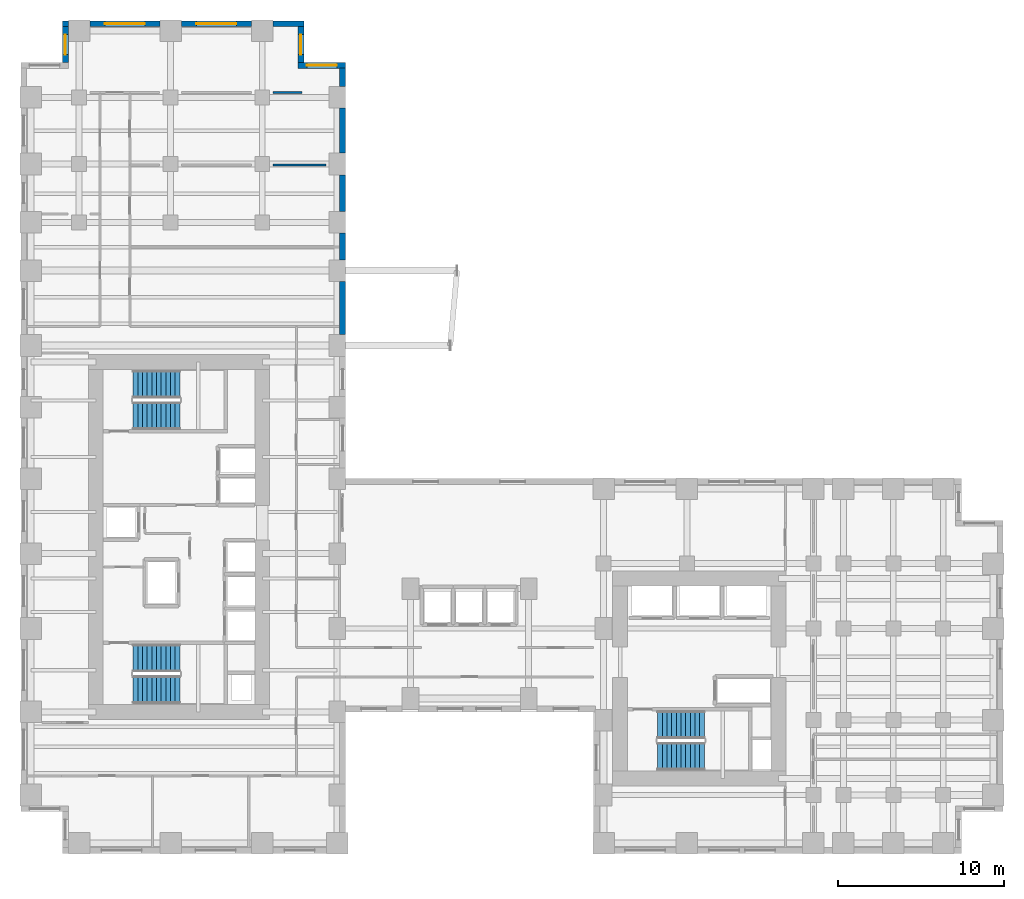
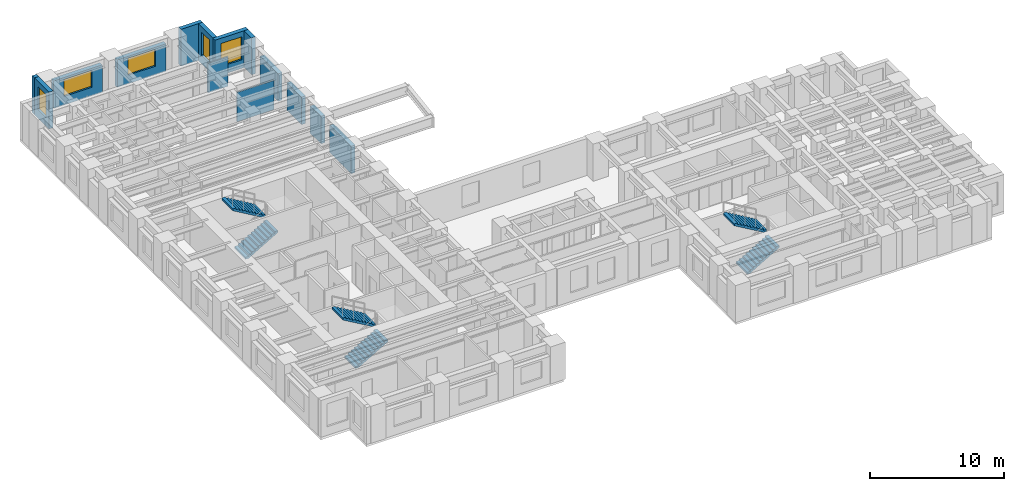
# One storey, part 11 of 13: 14 walls, 6 stair flights, 5 windows, 5 openings, 3 elements without a shape of their own.
"""IFC4 building model written with IfcOpenShell, lengths in metres."""

import ifcopenshell
import ifcopenshell.guid

model = None  # the IFC model being written
_history = None  # IfcOwnerHistory: only IFC2X3 demands one
_inside = {}  # id of a spatial element -> (the spatial element, [elements in it])
_under = {}  # id of a project, library or spatial element -> (it, [spatial elements below it])
_declared = {}  # id of a project -> (the project, [libraries it declares])
_typed = {}  # id of a type object -> (the type object, [elements of that type])
_made_of = {}  # id of a material, layer set ... -> (it, [elements and type objects made of it])


def new_model(schema):
    """Start an empty IFC model of exactly this schema.

    Asked for "IFC4X3", IfcOpenShell would pick the latest addendum, in which some entities
    have other attributes; the version numbers below select the first issue.
    IFC2X3 requires an IfcOwnerHistory on every rooted entity: one is made here for all.
    """
    global model, _history
    if schema == "IFC4X3":
        model = ifcopenshell.file(schema_version=(4, 3, 0, 0))
    else:
        model = ifcopenshell.file(schema=schema)
    _inside.clear()
    _under.clear()
    _declared.clear()
    _typed.clear()
    _made_of.clear()
    _history = None
    if model.schema == "IFC2X3":
        org = make("IfcOrganization", Name="unknown")
        user = make(
            "IfcPersonAndOrganization",
            ThePerson=make("IfcPerson", FamilyName="unknown"),
            TheOrganization=org,
        )
        app = make(
            "IfcApplication",
            ApplicationDeveloper=org,
            Version="unknown",
            ApplicationFullName="unknown",
            ApplicationIdentifier="unknown",
        )
        _history = make(
            "IfcOwnerHistory",
            OwningUser=user,
            OwningApplication=app,
            ChangeAction="ADDED",
            CreationDate=0,
        )
    return model


def make(cls, **values):
    """One entity of the class cls with the attributes given. An attribute that is None is left unset."""
    return model.create_entity(
        cls, **{name: value for name, value in values.items() if value is not None}
    )


def rooted(cls, **values):
    """An entity with a GlobalId (a new one), such as an element, a storey or a relation."""
    return make(cls, GlobalId=ifcopenshell.guid.new(), OwnerHistory=_history, **values)


def si_unit(unit_type, name, prefix=None):
    """IfcSIUnit, for example si_unit("LENGTHUNIT", "METRE", prefix="MILLI")."""
    return make("IfcSIUnit", UnitType=unit_type, Prefix=prefix, Name=name)


def assignment(units):
    """IfcUnitAssignment: the units of a project."""
    return None if units is None else make("IfcUnitAssignment", Units=units)


def point(xyz):
    """IfcCartesianPoint."""
    return None if xyz is None else make("IfcCartesianPoint", Coordinates=xyz)


def direction(xyz):
    """IfcDirection."""
    return None if xyz is None else make("IfcDirection", DirectionRatios=xyz)


def frame(location, z_axis=None, x_axis=None):
    """IfcAxis2Placement3D, a coordinate frame: its origin and axes. An axis left out is left unset."""
    return make(
        "IfcAxis2Placement3D",
        Location=point(location),
        Axis=direction(z_axis),
        RefDirection=direction(x_axis),
    )


def frame_2d(location, x_axis=None):
    """IfcAxis2Placement2D, a coordinate frame in the plane: its origin and x axis."""
    return make(
        "IfcAxis2Placement2D", Location=point(location), RefDirection=direction(x_axis)
    )


def origin():
    """The frame at (0, 0, 0) with its axes left unset."""
    return frame((0.0, 0.0, 0.0))


def place(relative_to, where):
    """IfcLocalPlacement: puts the frame where relative to a parent placement (None: the world)."""
    return make(
        "IfcLocalPlacement", PlacementRelTo=relative_to, RelativePlacement=where
    )


def context(
    kind, dimensions, precision=None, world=None, true_north=None, identifier=None
):
    """IfcGeometricRepresentationContext, for example the 3D "Model" context."""
    return make(
        "IfcGeometricRepresentationContext",
        ContextIdentifier=identifier,
        ContextType=kind,
        CoordinateSpaceDimension=dimensions,
        Precision=precision,
        WorldCoordinateSystem=world,
        TrueNorth=true_north,
    )


def subcontext(parent, identifier, kind, view, scale=None):
    """IfcGeometricRepresentationSubContext, for example "Body" below "Model"."""
    return make(
        "IfcGeometricRepresentationSubContext",
        ContextIdentifier=identifier,
        ContextType=kind,
        ParentContext=parent,
        TargetScale=scale,
        TargetView=view,
    )


def project(units=None, contexts=None):
    """IfcProject with its units and contexts."""
    return rooted(
        "IfcProject",
        Name="project",
        RepresentationContexts=contexts,
        UnitsInContext=assignment(units),
    )


def spatial(cls, under=None, at=None, **own):
    """A site, building, storey or space (cls), placed at a placement, below another one or the project."""
    s = rooted(cls, ObjectPlacement=at, **own)
    if under is not None:
        _under.setdefault(under.id(), (under, []))[1].append(s)
    return s


def polyline(points):
    """IfcPolyline through the points."""
    return make("IfcPolyline", Points=[point(p) for p in points])


def profile(cls, at=None, kind="AREA", **sizes):
    """A parametric profile (cls). Its sizes go by their IFC names, for example OverallWidth=200.0."""
    return make(cls, ProfileType=kind, Position=at, **sizes)


def rectangle(**sizes):
    """IfcRectangleProfileDef."""
    return profile("IfcRectangleProfileDef", **sizes)


def outline(outer, holes=None, kind="AREA"):
    """IfcArbitraryClosedProfileDef: a profile drawn as a closed curve; with holes, ...WithVoids."""
    if holes is None:
        return make("IfcArbitraryClosedProfileDef", ProfileType=kind, OuterCurve=outer)
    return make(
        "IfcArbitraryProfileDefWithVoids",
        ProfileType=kind,
        OuterCurve=outer,
        InnerCurves=holes,
    )


def extrude(swept, where, along, depth):
    """IfcExtrudedAreaSolid: the profile swept, set in the frame where, extruded along a direction by depth."""
    return make(
        "IfcExtrudedAreaSolid",
        SweptArea=swept,
        Position=where,
        ExtrudedDirection=direction(along),
        Depth=depth,
    )


def shape(context_of_items, identifier, shape_type, items):
    """IfcShapeRepresentation: the items that make up one representation, for example the "Body"."""
    return make(
        "IfcShapeRepresentation",
        ContextOfItems=context_of_items,
        RepresentationIdentifier=identifier,
        RepresentationType=shape_type,
        Items=items,
    )


def source(mapping_origin, context_of_items, identifier, shape_type, items):
    """IfcRepresentationMap: a shape defined once, which mapped items show again and again."""
    return make(
        "IfcRepresentationMap",
        MappingOrigin=mapping_origin,
        MappedRepresentation=shape(context_of_items, identifier, shape_type, items),
    )


def transform(
    local_origin,
    x_axis=None,
    y_axis=None,
    z_axis=None,
    scale=None,
    scale2=None,
    scale3=None,
    uniform=True,
):
    """IfcCartesianTransformationOperator3D, or its non-uniform kind. x_axis, y_axis, z_axis: its Axis1, 2, 3."""
    if uniform:
        return make(
            "IfcCartesianTransformationOperator3D",
            Axis1=direction(x_axis),
            Axis2=direction(y_axis),
            LocalOrigin=point(local_origin),
            Scale=scale,
            Axis3=direction(z_axis),
        )
    return make(
        "IfcCartesianTransformationOperator3DnonUniform",
        Axis1=direction(x_axis),
        Axis2=direction(y_axis),
        LocalOrigin=point(local_origin),
        Scale=scale,
        Axis3=direction(z_axis),
        Scale2=scale2,
        Scale3=scale3,
    )


def mapped(mapping_source, mapping_target):
    """IfcMappedItem: shows the shape of a source again, moved by a transform."""
    return make(
        "IfcMappedItem", MappingSource=mapping_source, MappingTarget=mapping_target
    )


def material(Name=None, Category=None):
    """IfcMaterial."""
    return make("IfcMaterial", Name=Name, Category=Category)


def layer(
    of_material, thickness, ventilated=None, Name=None, Category=None, Priority=None
):
    """IfcMaterialLayer: one layer of a wall or slab, of a material (None: an air gap)."""
    return make(
        "IfcMaterialLayer",
        Material=of_material,
        LayerThickness=thickness,
        IsVentilated=ventilated,
        Name=Name,
        Category=Category,
        Priority=Priority,
    )


def layer_set(layers, Name=None):
    """IfcMaterialLayerSet."""
    return make("IfcMaterialLayerSet", MaterialLayers=layers, LayerSetName=Name)


def made_of(thing, what):
    """Note that an element or type object is made of a material, layer set ...; save() writes the relation."""
    if what is not None:
        _made_of.setdefault(what.id(), (what, []))[1].append(thing)
    return thing


def type_object(cls, material=None, **own):
    """A type object (cls), such as IfcWallType, which elements share."""
    return made_of(rooted(cls, **own), material)


def element(
    cls,
    number,
    at=None,
    inside=None,
    cuts=None,
    type_object=None,
    material=None,
    context=None,
    identifier="Body",
    shape_type=None,
    held_by="IfcProductDefinitionShape",
    body=None,
    shapes=None,
    **own,
):
    """One element of the class cls, such as IfcWall. Its Tag is "e" and its number.

    at: its placement. inside: the storey or other place that contains it. cuts: it is an
    opening in that element (IfcRelVoidsElement). A single representation is given by context,
    identifier, shape_type and body (its items); several are given by shapes. held_by: the class
    of the entity that holds the representations. save() writes the other relations.
    """
    e = rooted(cls, Tag="e%d" % number, ObjectPlacement=at, **own)
    if body is not None:
        shapes = [shape(context, identifier, shape_type, body)]
    if shapes is not None:
        e.Representation = make(held_by, Representations=shapes)
    if inside is not None:
        _inside.setdefault(inside.id(), (inside, []))[1].append(e)
    if cuts is not None:
        rooted(
            "IfcRelVoidsElement", RelatingBuildingElement=cuts, RelatedOpeningElement=e
        )
    if type_object is not None:
        _typed.setdefault(type_object.id(), (type_object, []))[1].append(e)
    return made_of(e, material)


def fill(opening, filler):
    """IfcRelFillsElement: the door or window that sits in an opening."""
    return rooted(
        "IfcRelFillsElement",
        RelatingOpeningElement=opening,
        RelatedBuildingElement=filler,
    )


def aggregate(whole, parts):
    """IfcRelAggregates: a whole, such as a stair, and the parts it consists of."""
    return rooted("IfcRelAggregates", RelatingObject=whole, RelatedObjects=parts)


def save(model, path):
    """Write the relations noted so far, then the file.

    IfcRelAggregates (storeys below a building ...), IfcRelContainedInSpatialStructure (elements
    in a storey), IfcRelDefinesByType, IfcRelAssociatesMaterial and IfcRelDeclares: one each for
    every whole, place, type object, material and project.
    """
    for whole, parts in _under.values():
        aggregate(whole, parts)
    for where, things in _inside.values():
        rooted(
            "IfcRelContainedInSpatialStructure",
            RelatedElements=things,
            RelatingStructure=where,
        )
    for kind, things in _typed.values():
        rooted("IfcRelDefinesByType", RelatedObjects=things, RelatingType=kind)
    for what, things in _made_of.values():
        rooted("IfcRelAssociatesMaterial", RelatedObjects=things, RelatingMaterial=what)
    for by, libraries in _declared.values():
        rooted("IfcRelDeclares", RelatingContext=by, RelatedDefinitions=libraries)
    model.write(path)


model = new_model("IFC4")

# Units and contexts
model_context = context("Model", 3, precision=1e-05, world=origin(), true_north=direction((0.0, 1.0)))
body_context = subcontext(model_context, "Body", "Model", "MODEL_VIEW")
ifc_project = project(units=[si_unit("LENGTHUNIT", "METRE"), si_unit("AREAUNIT", "SQUARE_METRE"), si_unit("VOLUMEUNIT", "CUBIC_METRE"), si_unit("PLANEANGLEUNIT", "RADIAN"), si_unit("MASSUNIT", "GRAM", prefix="KILO")], contexts=[model_context])

# Site, building, storey
site_placement = place(None, origin())
site = spatial("IfcSite", under=ifc_project, at=site_placement, CompositionType="ELEMENT")
building_placement = place(site_placement, origin())
building = spatial("IfcBuilding", under=site, at=building_placement, Name="Kharzan Plaza Tower", CompositionType="ELEMENT")
storey_placement = place(building_placement, frame((0.0, 0.0, 65.699951171875)))
storey = spatial("IfcBuildingStorey", under=building, at=storey_placement, Name="L17", CompositionType="ELEMENT", Elevation=65.699951171875)

# Wall, opening, window
ifc_material_1 = material(Name="Concrete C40/50", Category="concrete")
ifc_layer_1 = layer(ifc_material_1, 0.35009765625)
ifc_layer_set_1 = layer_set([ifc_layer_1], Name="Concrete C40/50")
wall_type_1 = type_object("IfcWallType", Name="WL-EXT-MAS-Z1", PredefinedType="SOLIDWALL", material=ifc_layer_set_1)
wall_1_placement = place(storey_placement, frame((19.5, 47.324951171875, 0.0), z_axis=(0.0, 0.0, 1.0), x_axis=(-1.0, 0.0, 0.0)))
wall_1 = element("IfcWall", 1, at=wall_1_placement, inside=storey, type_object=wall_type_1, Name="L17 Masonry-Frame Exterior Wall 01", PredefinedType="SOLIDWALL", context=body_context, shape_type="SweptSolid", body=[
    extrude(rectangle(XDim=2.85009765625, YDim=0.35009765625, at=frame_2d((1.425048828125, 0.0))), origin(), (0.0, 0.0, 1.0), 3.364990234375),
])
opening_1_placement = place(wall_1_placement, frame((0.52490234375, 0.0, 0.780029296875)))
opening_1 = element("IfcOpeningElement", 2, at=opening_1_placement, cuts=wall_1, Name="Opening W1", PredefinedType="OPENING", context=body_context, shape_type="SweptSolid", body=[
    extrude(rectangle(XDim=1.800048828125, YDim=2.10009765625, at=frame_2d((0.89990234375, 1.050048828125))), frame((0.0, 0.18505859375, 0.0), z_axis=(0.0, -1.0, 0.0), x_axis=(1.0, 0.0, 0.0)), (0.0, 0.0, 1.0), 0.3701171875),
])
ifc_material_2 = material(Name="Low-E Double Glazing", Category="glass")
window_type_1 = type_object("IfcWindowType", Name="WN-REC-1800x2100", PartitioningType="SINGLE_PANEL", PredefinedType="WINDOW", material=ifc_material_2)
shared_shape_1 = source(origin(), body_context, "Body", "SweptSolid", [
    extrude(rectangle(XDim=1.800048828125, YDim=2.10009765625, at=frame_2d((0.89990234375, 1.050048828125))), frame((0.0, 0.030029296875, 0.0), z_axis=(0.0, -1.0, 0.0), x_axis=(1.0, 0.0, 0.0)), (0.0, 0.0, 1.0), 0.06005859375),
])
window_1_placement = place(opening_1_placement, origin())
window_1 = element("IfcWindow", 3, at=window_1_placement, inside=storey, type_object=window_type_1, Name="L17 Recessed Solar-Control Window 01-1", OverallHeight=2.10009765625, OverallWidth=1.800048828125, PartitioningType="SINGLE_PANEL", PredefinedType="WINDOW", context=body_context, shape_type="MappedRepresentation", body=[
    mapped(shared_shape_1, transform((0.0, 0.0, 0.0), x_axis=(1.0, 0.0, 0.0), y_axis=(0.0, 1.0, 0.0), z_axis=(0.0, 0.0, 1.0))),
])
fill(opening_1, window_1)

wall_2_placement = place(storey_placement, frame((16.824951171875, 47.498046875, 0.0), z_axis=(0.0, 0.0, 1.0), x_axis=(0.0, 1.0, 0.0)))
wall_2 = element("IfcWall", 4, at=wall_2_placement, inside=storey, type_object=wall_type_1, Name="L17 Masonry-Frame Exterior Wall 02", PredefinedType="SOLIDWALL", context=body_context, shape_type="SweptSolid", body=[
    extrude(rectangle(XDim=2.154052734375, YDim=0.35009765625, at=frame_2d((1.0771484375, 0.0))), origin(), (0.0, 0.0, 1.0), 3.364990234375),
])
opening_2_placement = place(wall_2_placement, frame((0.47705078125, 0.0, 0.780029296875)))
opening_2 = element("IfcOpeningElement", 5, at=opening_2_placement, cuts=wall_2, Name="Opening W3", PredefinedType="OPENING", context=body_context, shape_type="SweptSolid", body=[
    extrude(rectangle(XDim=1.199951171875, YDim=2.10009765625, at=frame_2d((0.60009765625, 1.050048828125))), frame((0.0, 0.18505859375, 0.0), z_axis=(0.0, -1.0, 0.0), x_axis=(1.0, 0.0, 0.0)), (0.0, 0.0, 1.0), 0.3701171875),
])
window_type_2 = type_object("IfcWindowType", Name="WN-REC-1200x2100", PartitioningType="SINGLE_PANEL", PredefinedType="WINDOW", material=ifc_material_2)
shared_shape_2 = source(origin(), body_context, "Body", "SweptSolid", [
    extrude(rectangle(XDim=1.199951171875, YDim=2.10009765625, at=frame_2d((0.60009765625, 1.050048828125))), frame((0.0, 0.030029296875, 0.0), z_axis=(0.0, -1.0, 0.0), x_axis=(1.0, 0.0, 0.0)), (0.0, 0.0, 1.0), 0.06005859375),
])
window_2_placement = place(opening_2_placement, origin())
window_2 = element("IfcWindow", 6, at=window_2_placement, inside=storey, type_object=window_type_2, Name="L17 Recessed Solar-Control Window 02-1", OverallHeight=2.10009765625, OverallWidth=1.199951171875, PartitioningType="SINGLE_PANEL", PredefinedType="WINDOW", context=body_context, shape_type="MappedRepresentation", body=[
    mapped(shared_shape_2, transform((0.0, 0.0, 0.0), x_axis=(1.0, 0.0, 0.0), y_axis=(0.0, 1.0, 0.0), z_axis=(0.0, 0.0, 1.0))),
])
fill(opening_2, window_2)

wall_3_placement = place(storey_placement, frame((13.85205078125, 49.824951171875, 0.0), z_axis=(0.0, 0.0, 1.0), x_axis=(-1.0, 0.0, 0.0)))
wall_3 = element("IfcWall", 7, at=wall_3_placement, inside=storey, type_object=wall_type_1, Name="L17 Masonry-Frame Exterior Wall 04", PredefinedType="SOLIDWALL", context=body_context, shape_type="SweptSolid", body=[
    extrude(rectangle(XDim=4.2041015625, YDim=0.35009765625, at=frame_2d((2.10205078125, 0.0))), origin(), (0.0, 0.0, 1.0), 2.510009765625),
])
opening_3_placement = place(wall_3_placement, frame((0.902099609375, 0.0, 0.780029296875)))
opening_3 = element("IfcOpeningElement", 8, at=opening_3_placement, cuts=wall_3, Name="Opening W2", PredefinedType="OPENING", context=body_context, shape_type="SweptSolid", body=[
    extrude(rectangle(XDim=2.39990234375, YDim=1.550048828125, at=frame_2d((1.199951171875, 0.77490234375))), frame((0.0, 0.18505859375, 0.0), z_axis=(0.0, -1.0, 0.0), x_axis=(1.0, 0.0, 0.0)), (0.0, 0.0, 1.0), 0.3701171875),
])
window_type_3 = type_object("IfcWindowType", Name="WN-REC-2400x2100", PartitioningType="SINGLE_PANEL", PredefinedType="WINDOW", material=ifc_material_2)
shared_shape_3 = source(origin(), body_context, "Body", "SweptSolid", [
    extrude(rectangle(XDim=2.39990234375, YDim=1.550048828125, at=frame_2d((1.199951171875, 0.77490234375))), frame((0.0, 0.030029296875, 0.0), z_axis=(0.0, -1.0, 0.0), x_axis=(1.0, 0.0, 0.0)), (0.0, 0.0, 1.0), 0.06005859375),
])
window_3_placement = place(opening_3_placement, origin())
window_3 = element("IfcWindow", 9, at=window_3_placement, inside=storey, type_object=window_type_3, Name="L17 Wide Recessed Solar-Control Window 04-1", OverallHeight=1.550048828125, OverallWidth=2.39990234375, PartitioningType="SINGLE_PANEL", PredefinedType="WINDOW", context=body_context, shape_type="MappedRepresentation", body=[
    mapped(shared_shape_3, transform((0.0, 0.0, 0.0), x_axis=(1.0, 0.0, 0.0), y_axis=(0.0, 1.0, 0.0), z_axis=(0.0, 0.0, 1.0))),
])
fill(opening_3, window_3)

wall_4_placement = place(storey_placement, frame((8.35205078125, 49.824951171875, 0.0), z_axis=(0.0, 0.0, 1.0), x_axis=(-1.0, 0.0, 0.0)))
wall_4 = element("IfcWall", 10, at=wall_4_placement, inside=storey, type_object=wall_type_1, Name="L17 Masonry-Frame Exterior Wall 05", PredefinedType="SOLIDWALL", context=body_context, shape_type="SweptSolid", body=[
    extrude(rectangle(XDim=4.2041015625, YDim=0.35009765625, at=frame_2d((2.10205078125, 0.0))), origin(), (0.0, 0.0, 1.0), 2.510009765625),
])
opening_4_placement = place(wall_4_placement, frame((0.902099609375, 0.0, 0.780029296875)))
opening_4 = element("IfcOpeningElement", 11, at=opening_4_placement, cuts=wall_4, Name="Opening W2", PredefinedType="OPENING", context=body_context, shape_type="SweptSolid", body=[
    extrude(rectangle(XDim=2.39990234375, YDim=1.550048828125, at=frame_2d((1.199951171875, 0.77490234375))), frame((0.0, 0.18505859375, 0.0), z_axis=(0.0, -1.0, 0.0), x_axis=(1.0, 0.0, 0.0)), (0.0, 0.0, 1.0), 0.3701171875),
])
window_4_placement = place(opening_4_placement, origin())
window_4 = element("IfcWindow", 12, at=window_4_placement, inside=storey, type_object=window_type_3, Name="L17 Wide Recessed Solar-Control Window 05-1", OverallHeight=1.550048828125, OverallWidth=2.39990234375, PartitioningType="SINGLE_PANEL", PredefinedType="WINDOW", context=body_context, shape_type="MappedRepresentation", body=[
    mapped(shared_shape_3, transform((0.0, 0.0, 0.0), x_axis=(1.0, 0.0, 0.0), y_axis=(0.0, 1.0, 0.0), z_axis=(0.0, 0.0, 1.0))),
])
fill(opening_4, window_4)

wall_5_placement = place(storey_placement, frame((2.675048828125, 49.652099609375, 0.0), z_axis=(0.0, 0.0, 1.0), x_axis=(0.0, -1.0, 0.0)))
wall_5 = element("IfcWall", 13, at=wall_5_placement, inside=storey, type_object=wall_type_1, Name="L17 Masonry-Frame Exterior Wall 07", PredefinedType="SOLIDWALL", context=body_context, shape_type="SweptSolid", body=[
    extrude(rectangle(XDim=2.154052734375, YDim=0.35009765625, at=frame_2d((1.0771484375, 0.0))), origin(), (0.0, 0.0, 1.0), 3.364990234375),
])
opening_5_placement = place(wall_5_placement, frame((0.47705078125, 0.0, 0.780029296875)))
opening_5 = element("IfcOpeningElement", 14, at=opening_5_placement, cuts=wall_5, Name="Opening W3", PredefinedType="OPENING", context=body_context, shape_type="SweptSolid", body=[
    extrude(rectangle(XDim=1.199951171875, YDim=2.10009765625, at=frame_2d((0.60009765625, 1.050048828125))), frame((0.0, 0.18505859375, 0.0), z_axis=(0.0, -1.0, 0.0), x_axis=(1.0, 0.0, 0.0)), (0.0, 0.0, 1.0), 0.3701171875),
])
window_5_placement = place(opening_5_placement, origin())
window_5 = element("IfcWindow", 15, at=window_5_placement, inside=storey, type_object=window_type_2, Name="L17 Recessed Solar-Control Window 07-1", OverallHeight=2.10009765625, OverallWidth=1.199951171875, PartitioningType="SINGLE_PANEL", PredefinedType="WINDOW", context=body_context, shape_type="MappedRepresentation", body=[
    mapped(shared_shape_2, transform((0.0, 0.0, 0.0), x_axis=(1.0, 0.0, 0.0), y_axis=(0.0, 1.0, 0.0), z_axis=(0.0, 0.0, 1.0))),
])
fill(opening_5, window_5)

# Walls
shared_shape_4 = source(origin(), body_context, "Body", "SweptSolid", [
    extrude(rectangle(XDim=1.85205078125, YDim=0.35009765625, at=frame_2d((0.926025390625, 0.0))), origin(), (0.0, 0.0, 1.0), 3.364990234375),
])
wall_6_placement = place(storey_placement, frame((17.0, 49.824951171875, 0.0), z_axis=(0.0, 0.0, 1.0), x_axis=(-1.0, 0.0, 0.0)))
element("IfcWall", 16, at=wall_6_placement, inside=storey, type_object=wall_type_1, Name="L17 Masonry-Frame Exterior Wall 03", PredefinedType="SOLIDWALL", context=body_context, shape_type="MappedRepresentation", body=[
    mapped(shared_shape_4, transform((0.0, 0.0, 0.0), x_axis=(1.0, 0.0, 0.0), y_axis=(0.0, 1.0, 0.0), z_axis=(0.0, 0.0, 1.0))),
])
shared_shape_5 = source(origin(), body_context, "Body", "SweptSolid", [
    extrude(rectangle(XDim=0.35205078125, YDim=0.35009765625, at=frame_2d((0.176025390625, 0.0))), origin(), (0.0, 0.0, 1.0), 3.364990234375),
])
wall_7_placement = place(storey_placement, frame((2.85205078125, 49.824951171875, 0.0), z_axis=(0.0, 0.0, 1.0), x_axis=(-1.0, 0.0, 0.0)))
element("IfcWall", 17, at=wall_7_placement, inside=storey, type_object=wall_type_1, Name="L17 Masonry-Frame Exterior Wall 06", PredefinedType="SOLIDWALL", context=body_context, shape_type="MappedRepresentation", body=[
    mapped(shared_shape_5, transform((0.0, 0.0, 0.0), x_axis=(1.0, 0.0, 0.0), y_axis=(0.0, 1.0, 0.0), z_axis=(0.0, 0.0, 1.0))),
])
shared_shape_6 = source(origin(), body_context, "Body", "SweptSolid", [
    extrude(rectangle(XDim=1.10400390625, YDim=0.35009765625, at=frame_2d((0.552001953125, 0.0))), origin(), (0.0, 0.0, 1.0), 3.364990234375),
])
wall_8_placement = place(storey_placement, frame((19.324951171875, 46.048095703125, 0.0), z_axis=(0.0, 0.0, 1.0), x_axis=(0.0, 1.0, 0.0)))
element("IfcWall", 18, at=wall_8_placement, inside=storey, type_object=wall_type_1, Name="L17 Masonry-Frame Exterior Wall 60", PredefinedType="SOLIDWALL", context=body_context, shape_type="MappedRepresentation", body=[
    mapped(shared_shape_6, transform((0.0, 0.0, 0.0), x_axis=(1.0, 0.0, 0.0), y_axis=(0.0, 1.0, 0.0), z_axis=(0.0, 0.0, 1.0))),
])
shared_shape_7 = source(origin(), body_context, "Body", "SweptSolid", [
    extrude(rectangle(XDim=1.60400390625, YDim=0.35009765625, at=frame_2d((0.802001953125, 0.0))), origin(), (0.0, 0.0, 1.0), 2.510009765625),
])
wall_9_placement = place(storey_placement, frame((19.324951171875, 35.64794921875, 0.0), z_axis=(0.0, 0.0, 1.0), x_axis=(0.0, 1.0, 0.0)))
element("IfcWall", 19, at=wall_9_placement, inside=storey, type_object=wall_type_1, Name="L17 Masonry-Frame Exterior Wall 57", PredefinedType="SOLIDWALL", context=body_context, shape_type="MappedRepresentation", body=[
    mapped(shared_shape_7, transform((0.0, 0.0, 0.0), x_axis=(1.0, 0.0, 0.0), y_axis=(0.0, 1.0, 0.0), z_axis=(0.0, 0.0, 1.0))),
])
shared_shape_8 = source(origin(), body_context, "Body", "SweptSolid", [
    extrude(rectangle(XDim=3.2041015625, YDim=0.35009765625, at=frame_2d((1.60205078125, 0.0))), origin(), (0.0, 0.0, 1.0), 2.510009765625),
])
wall_10_placement = place(storey_placement, frame((19.324951171875, 31.14794921875, 0.0), z_axis=(0.0, 0.0, 1.0), x_axis=(0.0, 1.0, 0.0)))
element("IfcWall", 20, at=wall_10_placement, inside=storey, type_object=wall_type_1, Name="L17 Masonry-Frame Exterior Wall 56", PredefinedType="SOLIDWALL", context=body_context, shape_type="MappedRepresentation", body=[
    mapped(shared_shape_8, transform((0.0, 0.0, 0.0), x_axis=(1.0, 0.0, 0.0), y_axis=(0.0, 1.0, 0.0), z_axis=(0.0, 0.0, 1.0))),
])
shared_shape_9 = source(origin(), body_context, "Body", "SweptSolid", [
    extrude(rectangle(XDim=2.203857421875, YDim=0.35009765625, at=frame_2d((1.10205078125, 0.0))), origin(), (0.0, 0.0, 1.0), 2.510009765625),
])
wall_11_placement = place(storey_placement, frame((19.324951171875, 38.548095703125, 0.0), z_axis=(0.0, 0.0, 1.0), x_axis=(0.0, 1.0, 0.0)))
element("IfcWall", 21, at=wall_11_placement, inside=storey, type_object=wall_type_1, Name="L17 Masonry-Frame Exterior Wall 58", PredefinedType="SOLIDWALL", context=body_context, shape_type="MappedRepresentation", body=[
    mapped(shared_shape_9, transform((0.0, 0.0, 0.0), x_axis=(1.0, 0.0, 0.0), y_axis=(0.0, 1.0, 0.0), z_axis=(0.0, 0.0, 1.0))),
])
shared_shape_10 = source(origin(), body_context, "Body", "SweptSolid", [
    extrude(rectangle(XDim=2.703857421875, YDim=0.35009765625, at=frame_2d((1.35205078125, 0.0))), origin(), (0.0, 0.0, 1.0), 2.510009765625),
])
wall_12_placement = place(storey_placement, frame((19.324951171875, 42.048095703125, 0.0), z_axis=(0.0, 0.0, 1.0), x_axis=(0.0, 1.0, 0.0)))
element("IfcWall", 22, at=wall_12_placement, inside=storey, type_object=wall_type_1, Name="L17 Masonry-Frame Exterior Wall 59", PredefinedType="SOLIDWALL", context=body_context, shape_type="MappedRepresentation", body=[
    mapped(shared_shape_10, transform((0.0, 0.0, 0.0), x_axis=(1.0, 0.0, 0.0), y_axis=(0.0, 1.0, 0.0), z_axis=(0.0, 0.0, 1.0))),
])
ifc_material_3 = material(Name="Fire-Rated Gypsum Board Partition", Category="gypsum")
ifc_layer_2 = layer(ifc_material_3, 0.125)
ifc_layer_set_2 = layer_set([ifc_layer_2], Name="Fire-Rated Gypsum Board Partition")
wall_type_2 = type_object("IfcWallType", Name="WL-INT-PART-125", PredefinedType="PARTITIONING", material=ifc_layer_set_2)
shared_shape_11 = source(origin(), body_context, "Body", "SweptSolid", [
    extrude(rectangle(XDim=3.18017578125, YDim=0.125, at=frame_2d((1.590087890625, 0.0))), origin(), (0.0, 0.0, 1.0), 2.670166015625),
])
wall_13_placement = place(storey_placement, frame((15.159912109375, 41.343994140625, 0.0), z_axis=(0.0, 0.0, 1.0), x_axis=(1.0, 0.0, 0.0)))
element("IfcWall", 23, at=wall_13_placement, inside=storey, type_object=wall_type_2, Name="L17 Interior Partition SH-NEH-2-S3", PredefinedType="PARTITIONING", context=body_context, shape_type="MappedRepresentation", body=[
    mapped(shared_shape_11, transform((0.0, 0.0, 0.0), x_axis=(1.0, 0.0, 0.0), y_axis=(0.0, 1.0, 0.0), z_axis=(0.0, 0.0, 1.0))),
])
shared_shape_12 = source(origin(), body_context, "Body", "SweptSolid", [
    extrude(rectangle(XDim=1.739990234375, YDim=0.125, at=frame_2d((0.8701171875, 0.0))), origin(), (0.0, 0.0, 1.0), 2.670166015625),
])
wall_14_placement = place(storey_placement, frame((15.159912109375, 45.699951171875, 0.0), z_axis=(0.0, 0.0, 1.0), x_axis=(1.0, 0.0, 0.0)))
element("IfcWall", 24, at=wall_14_placement, inside=storey, type_object=wall_type_2, Name="L17 Interior Partition SH-SPHE-S3", PredefinedType="PARTITIONING", context=body_context, shape_type="MappedRepresentation", body=[
    mapped(shared_shape_12, transform((0.0, 0.0, 0.0), x_axis=(1.0, 0.0, 0.0), y_axis=(0.0, 1.0, 0.0), z_axis=(0.0, 0.0, 1.0))),
])

# Stair, stair flights
stair_type_1 = type_object("IfcStairType", Name="STR-ST-1", PredefinedType="HALF_TURN_STAIR", material=ifc_material_1)
stair_1_placement = place(storey_placement, origin())
stair_1 = element("IfcStair", 25, at=stair_1_placement, inside=storey, type_object=stair_type_1, Name="L17 Protected Exit Stair ST-1", PredefinedType="HALF_TURN_STAIR")
stair_flight_type = type_object("IfcStairFlightType", Name="SFL-1650-R173", PredefinedType="STRAIGHT", material=ifc_material_1)
shared_shape_13 = source(origin(), body_context, "Body", "SweptSolid", [
    extrude(outline(polyline([(-0.0029296875, -0.011962890625), (-0.0029296875, 0.0), (0.0, 0.0), (0.0, 0.16357421875), (0.280029296875, 0.16357421875), (0.280029296875, 0.3271484375), (0.56005859375, 0.3271484375), (0.56005859375, 0.49072265625), (0.840087890625, 0.49072265625), (0.840087890625, 0.654296875), (1.1201171875, 0.654296875), (1.1201171875, 0.81787109375), (1.400146484375, 0.81787109375), (1.400146484375, 0.9814453125), (1.68017578125, 0.9814453125), (1.68017578125, 1.14501953125), (1.960205078125, 1.14501953125), (1.960205078125, 1.30859375), (2.240234375, 1.30859375), (2.240234375, 1.47216796875), (2.520263671875, 1.47216796875), (2.520263671875, 1.6357421875), (2.80029296875, 1.6357421875), (2.80029296875, 1.79931640625), (2.80029296875, 1.462158203125), (0.297119140625, 0.0), (0.297119140625, -0.011962890625), (-0.0029296875, -0.011962890625)])), frame((0.0, 0.824951171875, 0.0), z_axis=(0.0, -1.0, 0.0), x_axis=(1.0, 0.0, 0.0)), (0.0, 0.0, 1.0), 1.64990234375),
])
stair_flight_1_placement = place(storey_placement, frame((6.75, 9.824951171875, 0.0), z_axis=(0.0, 0.0, 1.0), x_axis=(1.0, 0.0, 0.0)))
stair_flight_1 = element("IfcStairFlight", 26, at=stair_flight_1_placement, type_object=stair_flight_type, Name="ST-1 flight 1", NumberOfRisers=11, NumberOfTreads=10, PredefinedType="STRAIGHT", RiserHeight=0.163636364, TreadLength=0.28, context=body_context, shape_type="MappedRepresentation", body=[
    mapped(shared_shape_13, transform((0.0, 0.0, 0.0), x_axis=(1.0, 0.0, 0.0), y_axis=(0.0, 1.0, 0.0), z_axis=(0.0, 0.0, 1.0))),
])
stair_flight_2_placement = place(storey_placement, frame((9.550048828125, 11.72509765625, 1.800048828125), z_axis=(0.0, 0.0, 1.0), x_axis=(-1.0, 0.0, 0.0)))
stair_flight_2 = element("IfcStairFlight", 27, at=stair_flight_2_placement, type_object=stair_flight_type, Name="ST-1 flight 2", NumberOfRisers=11, NumberOfTreads=10, PredefinedType="STRAIGHT", RiserHeight=0.163636364, TreadLength=0.28, context=body_context, shape_type="MappedRepresentation", body=[
    mapped(shared_shape_13, transform((0.0, 0.0, 0.0), x_axis=(1.0, 0.0, 0.0), y_axis=(0.0, 1.0, 0.0), z_axis=(0.0, 0.0, 1.0))),
])
aggregate(stair_1, [stair_flight_1, stair_flight_2])

stair_type_2 = type_object("IfcStairType", Name="STR-ST-2", PredefinedType="HALF_TURN_STAIR", material=ifc_material_1)
stair_2_placement = place(storey_placement, origin())
stair_2 = element("IfcStair", 28, at=stair_2_placement, inside=storey, type_object=stair_type_2, Name="L17 Protected Exit Stair ST-2", PredefinedType="HALF_TURN_STAIR")
stair_flight_3_placement = place(storey_placement, frame((6.75, 26.27490234375, 0.0), z_axis=(0.0, 0.0, 1.0), x_axis=(1.0, 0.0, 0.0)))
stair_flight_3 = element("IfcStairFlight", 29, at=stair_flight_3_placement, type_object=stair_flight_type, Name="ST-2 flight 1", NumberOfRisers=11, NumberOfTreads=10, PredefinedType="STRAIGHT", RiserHeight=0.163636364, TreadLength=0.28, context=body_context, shape_type="MappedRepresentation", body=[
    mapped(shared_shape_13, transform((0.0, 0.0, 0.0), x_axis=(1.0, 0.0, 0.0), y_axis=(0.0, 1.0, 0.0), z_axis=(0.0, 0.0, 1.0))),
])
stair_flight_4_placement = place(storey_placement, frame((9.550048828125, 28.175048828125, 1.800048828125), z_axis=(0.0, 0.0, 1.0), x_axis=(-1.0, 0.0, 0.0)))
stair_flight_4 = element("IfcStairFlight", 30, at=stair_flight_4_placement, type_object=stair_flight_type, Name="ST-2 flight 2", NumberOfRisers=11, NumberOfTreads=10, PredefinedType="STRAIGHT", RiserHeight=0.163636364, TreadLength=0.28, context=body_context, shape_type="MappedRepresentation", body=[
    mapped(shared_shape_13, transform((0.0, 0.0, 0.0), x_axis=(1.0, 0.0, 0.0), y_axis=(0.0, 1.0, 0.0), z_axis=(0.0, 0.0, 1.0))),
])
aggregate(stair_2, [stair_flight_3, stair_flight_4])

stair_type_3 = type_object("IfcStairType", Name="STR-ST-3", PredefinedType="HALF_TURN_STAIR", material=ifc_material_1)
stair_3_placement = place(storey_placement, origin())
stair_3 = element("IfcStair", 31, at=stair_3_placement, inside=storey, type_object=stair_type_3, Name="L17 Protected Exit Stair ST-3", PredefinedType="HALF_TURN_STAIR")
stair_flight_5_placement = place(storey_placement, frame((38.25, 5.824951171875, 0.0), z_axis=(0.0, 0.0, 1.0), x_axis=(1.0, 0.0, 0.0)))
stair_flight_5 = element("IfcStairFlight", 32, at=stair_flight_5_placement, type_object=stair_flight_type, Name="ST-3 flight 1", NumberOfRisers=11, NumberOfTreads=10, PredefinedType="STRAIGHT", RiserHeight=0.163636364, TreadLength=0.28, context=body_context, shape_type="MappedRepresentation", body=[
    mapped(shared_shape_13, transform((0.0, 0.0, 0.0), x_axis=(1.0, 0.0, 0.0), y_axis=(0.0, 1.0, 0.0), z_axis=(0.0, 0.0, 1.0))),
])
stair_flight_6_placement = place(storey_placement, frame((41.050048828125, 7.72509765625, 1.800048828125), z_axis=(0.0, 0.0, 1.0), x_axis=(-1.0, 0.0, 0.0)))
stair_flight_6 = element("IfcStairFlight", 33, at=stair_flight_6_placement, type_object=stair_flight_type, Name="ST-3 flight 2", NumberOfRisers=11, NumberOfTreads=10, PredefinedType="STRAIGHT", RiserHeight=0.163636364, TreadLength=0.28, context=body_context, shape_type="MappedRepresentation", body=[
    mapped(shared_shape_13, transform((0.0, 0.0, 0.0), x_axis=(1.0, 0.0, 0.0), y_axis=(0.0, 1.0, 0.0), z_axis=(0.0, 0.0, 1.0))),
])
aggregate(stair_3, [stair_flight_5, stair_flight_6])

save(model, "model.ifc")
